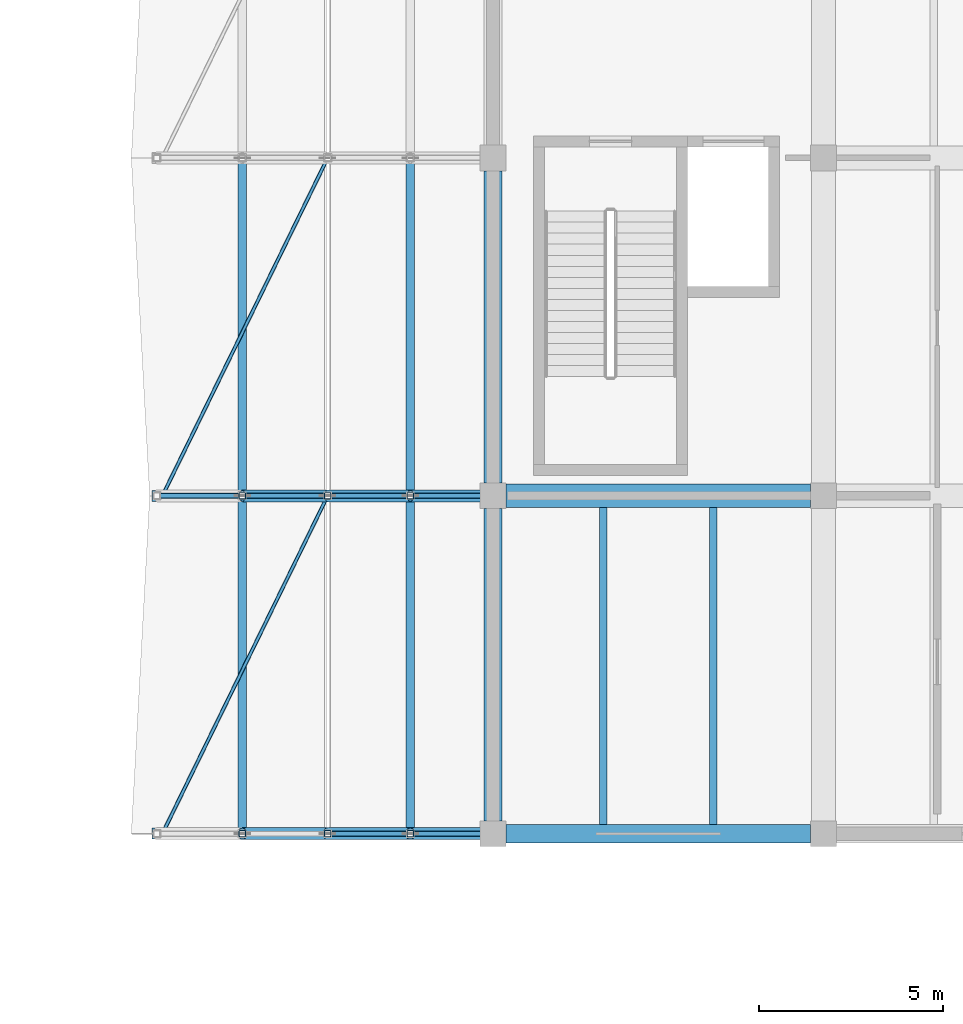
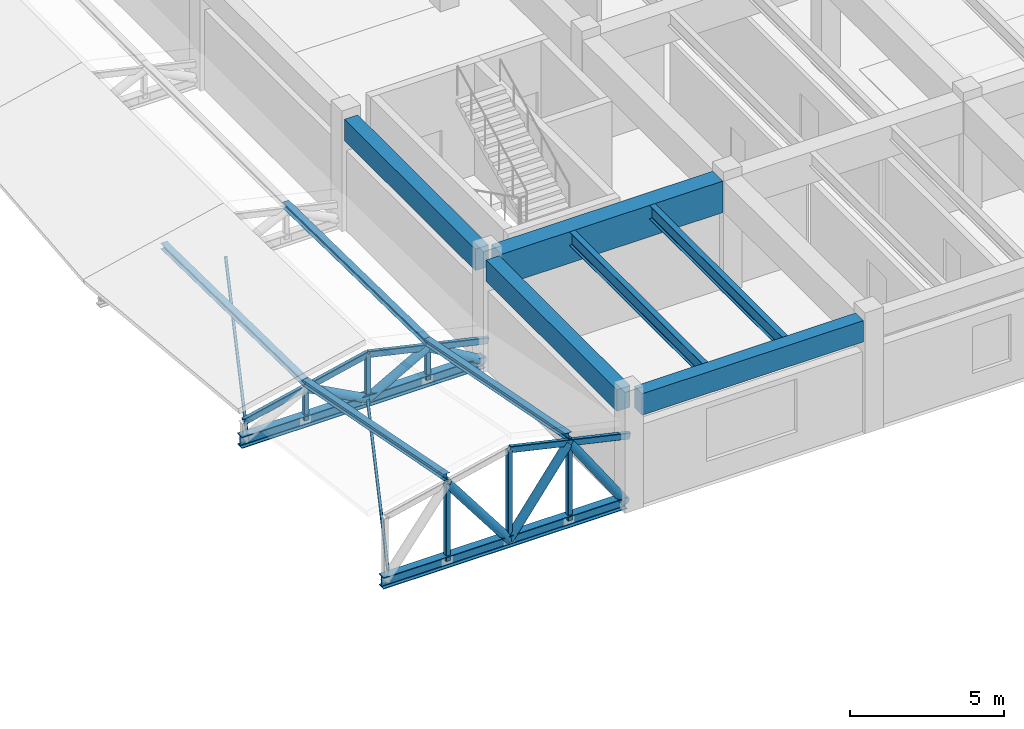
# One storey, part 41 of 90: 21 members, 8 beams.
"""IFC4 building model written with IfcOpenShell, lengths in metres."""

from ifc_helpers import new_model, si_unit, direction, frame, origin, origin_2d, place, context, subcontext, project, spatial, rectangle, hollow_rectangle, hollow_circle, i_section, extrude, material, material_profile, profile_set, type_object, element, save


model = new_model("IFC4")

# Units and contexts
model_context = context("Model", 3, precision=1e-05, world=origin(), true_north=direction((0.0, 1.0)))
body_context = subcontext(model_context, "Body", "Model", "MODEL_VIEW")
ifc_project = project(units=[si_unit("LENGTHUNIT", "METRE"), si_unit("AREAUNIT", "SQUARE_METRE"), si_unit("VOLUMEUNIT", "CUBIC_METRE"), si_unit("PLANEANGLEUNIT", "RADIAN"), si_unit("MASSUNIT", "GRAM", prefix="KILO")], contexts=[model_context])

# Site, building, storey
site_placement = place(None, origin())
site = spatial("IfcSite", under=ifc_project, at=site_placement, CompositionType="ELEMENT")
building_placement = place(site_placement, origin())
building = spatial("IfcBuilding", under=site, at=building_placement, Name="Bozkorgan Art Gallery", CompositionType="ELEMENT")
storey_placement = place(building_placement, frame((0.0, 0.0, 5.39990234375)))
storey = spatial("IfcBuildingStorey", under=building, at=storey_placement, Name="L01", CompositionType="ELEMENT", Elevation=5.39990234375)

# Beams
ifc_material_1 = material(Name="Concrete C35/45", Category="concrete")
ifc_material_profile_1 = material_profile(ifc_material_1, rectangle(XDim=0.64990234375, YDim=1.25, at=origin_2d()), Name="RC 650x1250")
ifc_profile_set_1 = profile_set([ifc_material_profile_1], Name="Concrete C35/45")
beam_type_1 = type_object("IfcBeamType", Name="BEAM-BM-54", PredefinedType="BEAM", material=ifc_profile_set_1)
beam_1_placement = place(storey_placement, frame((137.35009765625, 75.199951171875, 3.815185546875), z_axis=(1.0, 0.0, 0.0), x_axis=(0.0, 1.0, 0.0)))
element("IfcBeam", 1, at=beam_1_placement, inside=storey, type_object=beam_type_1, Name="V5 L01 beam X (137-146, 75.2)", PredefinedType="BEAM", context=body_context, shape_type="SweptSolid", body=[
    extrude(rectangle(XDim=0.64990234375, YDim=1.25, at=origin_2d()), origin(), (0.0, 0.0, 1.0), 8.2998046875),
])
ifc_material_2 = material(Name="Steel S355J2", Category="steel")
ifc_material_profile_2 = material_profile(ifc_material_2, i_section(OverallWidth=0.2099609375, OverallDepth=0.550048828125, WebThickness=0.010986328125, FlangeThickness=0.01708984375, FilletRadius=0.02392578125, at=origin_2d()), Name="IPE 550")
ifc_profile_set_2 = profile_set([ifc_material_profile_2], Name="Steel S355J2")
beam_type_2 = type_object("IfcBeamType", Name="BEAM-JS-62", PredefinedType="JOIST", material=ifc_profile_set_2)
for number, where, z_axis, x_axis, name in (
    (2, (140.0, 66.25, 4.1650390625), (0.0, 1.0, 0.0), (-1.0, 0.0, 0.0), "V5 L01 secondary joist (137-146, 66.0-75.2) #1"),
    (3, (143.0, 66.25, 4.1650390625), (0.0, 1.0, 0.0), (-1.0, 0.0, 0.0), "V5 L01 secondary joist (137-146, 66.0-75.2) #2"),
):
    element("IfcBeam", number, at=place(storey_placement, frame(where, z_axis=z_axis, x_axis=x_axis)), inside=storey, type_object=beam_type_2, Name=name, PredefinedType="JOIST", context=body_context, shape_type="SweptSolid", body=[
        extrude(i_section(OverallWidth=0.2099609375, OverallDepth=0.550048828125, WebThickness=0.010986328125, FlangeThickness=0.01708984375, FilletRadius=0.02392578125, at=origin_2d()), origin(), (0.0, 0.0, 1.0), 8.625),
    ])
ifc_material_profile_3 = material_profile(ifc_material_1, rectangle(XDim=0.5, YDim=0.85009765625, at=origin_2d()), Name="RC 500x850")
ifc_profile_set_3 = profile_set([ifc_material_profile_3], Name="Concrete C35/45")
beam_type_3 = type_object("IfcBeamType", Name="BEAM-SP-30", PredefinedType="SPANDREL", material=ifc_profile_set_3)
beam_2_placement = place(storey_placement, frame((137.35009765625, 66.0, 4.01513671875), z_axis=(1.0, 0.0, 0.0), x_axis=(0.0, 1.0, 0.0)))
element("IfcBeam", 4, at=beam_2_placement, inside=storey, type_object=beam_type_3, Name="V5 L01 spandrel X (137-146, 66.0)", PredefinedType="SPANDREL", context=body_context, shape_type="SweptSolid", body=[
    extrude(rectangle(XDim=0.5, YDim=0.85009765625, at=origin_2d()), origin(), (0.0, 0.0, 1.0), 8.2998046875),
])
for number, where, z_axis, x_axis, name in (
    (5, (137.0, 66.35009765625, 4.01513671875), (0.0, 1.0, 0.0), (-1.0, 0.0, 0.0), "V5 L01 spandrel Y (137, 66.0-75.2)"),
    (6, (137.0, 75.550048828125, 4.01513671875), (0.0, 1.0, 0.0), (-1.0, 0.0, 0.0), "V5 L01 spandrel Y (137, 75.2-84.4)"),
):
    element("IfcBeam", number, at=place(storey_placement, frame(where, z_axis=z_axis, x_axis=x_axis)), inside=storey, type_object=beam_type_3, Name=name, PredefinedType="SPANDREL", context=body_context, shape_type="SweptSolid", body=[
        extrude(rectangle(XDim=0.5, YDim=0.85009765625, at=origin_2d()), origin(), (0.0, 0.0, 1.0), 8.5),
    ])
ifc_material_profile_4 = material_profile(ifc_material_2, i_section(OverallWidth=0.300048828125, OverallDepth=0.449951171875, WebThickness=0.013916015625, FlangeThickness=0.02587890625, FilletRadius=0.027099609375, at=origin_2d()), Name="HEB 450")
ifc_profile_set_4 = profile_set([ifc_material_profile_4], Name="Steel S355J2")
beam_type_4 = type_object("IfcBeamType", Name="BEAM-TB-37", PredefinedType="BEAM", material=ifc_profile_set_4)
for number, where, z_axis, x_axis, name in (
    (7, (127.7099609375, 66.0, 0.22509765625), (1.0, 0.0, 0.0), (0.0, 1.0, 0.0), "ROOF-V5-DOCK roof truss 1 bottom chord"),
    (8, (127.7099609375, 75.199951171875, 0.22509765625), (1.0, 0.0, 0.0), (0.0, 1.0, 0.0), "ROOF-V5-DOCK roof truss 2 bottom chord"),
):
    element("IfcBeam", number, at=place(storey_placement, frame(where, z_axis=z_axis, x_axis=x_axis)), inside=storey, type_object=beam_type_4, Name=name, PredefinedType="BEAM", context=body_context, shape_type="SweptSolid", body=[
        extrude(i_section(OverallWidth=0.300048828125, OverallDepth=0.449951171875, WebThickness=0.013916015625, FlangeThickness=0.02587890625, FilletRadius=0.027099609375, at=origin_2d()), origin(), (0.0, 0.0, 1.0), 9.14013671875),
    ])

# Members
ifc_material_profile_5 = material_profile(ifc_material_2, i_section(OverallWidth=0.239990234375, OverallDepth=0.22998046875, WebThickness=0.007568359375, FlangeThickness=0.011962890625, FilletRadius=0.02099609375, at=origin_2d()), Name="HEA 240")
ifc_profile_set_5 = profile_set([ifc_material_profile_5], Name="Steel S355J2")
member_type_1 = type_object("IfcMemberType", Name="MEMBER-PR-93", PredefinedType="PURLIN", material=ifc_profile_set_5)
for number, where, z_axis, x_axis, name in (
    (9, (130.175048828125, 66.0, 3.51318359375), (0.0, 0.981303046378, -0.192469039508), (-1.0, 0.0, 0.0), "ROOF-V5-DOCK roof purlin 1W"),
    (10, (134.75, 66.0, 3.5302734375), (0.0, 0.981303046378, -0.192469039508), (-1.0, 0.0, 0.0), "ROOF-V5-DOCK roof purlin 1E"),
):
    element("IfcMember", number, at=place(storey_placement, frame(where, z_axis=z_axis, x_axis=x_axis)), inside=storey, type_object=member_type_1, Name=name, PredefinedType="PURLIN", context=body_context, shape_type="SweptSolid", body=[
        extrude(i_section(OverallWidth=0.239990234375, OverallDepth=0.22998046875, WebThickness=0.007568359375, FlangeThickness=0.011962890625, FilletRadius=0.02099609375, at=origin_2d()), origin(), (0.0, 0.0, 1.0), 9.375244140625),
    ])
for number, where, z_axis, x_axis, name in (
    (11, (130.175048828125, 75.199951171875, 1.708740234375), (0.0, 0.999853545379, -0.017113964832), (-1.0, 0.0, 0.0), "ROOF-V5-DOCK roof purlin 2W"),
    (12, (134.75, 75.199951171875, 1.725830078125), (0.0, 0.999853091005, -0.017140490322), (-1.0, 0.0, 0.0), "ROOF-V5-DOCK roof purlin 2E"),
):
    element("IfcMember", number, at=place(storey_placement, frame(where, z_axis=z_axis, x_axis=x_axis)), inside=storey, type_object=member_type_1, Name=name, PredefinedType="PURLIN", context=body_context, shape_type="SweptSolid", body=[
        extrude(i_section(OverallWidth=0.239990234375, OverallDepth=0.22998046875, WebThickness=0.007568359375, FlangeThickness=0.011962890625, FilletRadius=0.02099609375, at=origin_2d()), origin(), (0.0, 0.0, 1.0), 9.201416015625),
    ])
ifc_material_profile_6 = material_profile(ifc_material_2, hollow_rectangle(XDim=0.14990234375, YDim=0.25, WallThickness=0.010009765625, InnerFilletRadius=0.014892578125, OuterFilletRadius=0.02490234375, at=origin_2d()), Name="RHS 250x150x10")
ifc_profile_set_6 = profile_set([ifc_material_profile_6], Name="Steel S355J2")
member_type_2 = type_object("IfcMemberType", Name="MEMBER-TC-35", PredefinedType="CHORD", material=ifc_profile_set_6)
member_1_placement = place(storey_placement, frame((132.5, 66.0, 3.801513671875), z_axis=(0.975145326943, 0.0, -0.221566223375), x_axis=(0.0, 1.0, 0.0)))
element("IfcMember", 13, at=member_1_placement, inside=storey, type_object=member_type_2, Name="ROOF-V5-DOCK roof truss 1 east top chord", PredefinedType="CHORD", context=body_context, shape_type="SweptSolid", body=[
    extrude(hollow_rectangle(XDim=0.14990234375, YDim=0.25, WallThickness=0.010009765625, InnerFilletRadius=0.014892578125, OuterFilletRadius=0.02490234375, at=origin_2d()), origin(), (0.0, 0.0, 1.0), 4.61474609375),
])
member_2_placement = place(storey_placement, frame((127.85009765625, 75.199951171875, 0.940673828125), z_axis=(0.975150958549, 0.0, 0.221541436398), x_axis=(0.0, 1.0, 0.0)))
element("IfcMember", 14, at=member_2_placement, inside=storey, type_object=member_type_2, Name="ROOF-V5-DOCK roof truss 2 west top chord", PredefinedType="CHORD", context=body_context, shape_type="SweptSolid", body=[
    extrude(hollow_rectangle(XDim=0.14990234375, YDim=0.25, WallThickness=0.010009765625, InnerFilletRadius=0.014892578125, OuterFilletRadius=0.02490234375, at=origin_2d()), origin(), (0.0, 0.0, 1.0), 4.768310546875),
])
member_3_placement = place(storey_placement, frame((132.5, 75.199951171875, 1.9970703125), z_axis=(0.975145326943, 0.0, -0.221566223375), x_axis=(0.0, 1.0, 0.0)))
element("IfcMember", 15, at=member_3_placement, inside=storey, type_object=member_type_2, Name="ROOF-V5-DOCK roof truss 2 east top chord", PredefinedType="CHORD", context=body_context, shape_type="SweptSolid", body=[
    extrude(hollow_rectangle(XDim=0.14990234375, YDim=0.25, WallThickness=0.010009765625, InnerFilletRadius=0.014892578125, OuterFilletRadius=0.02490234375, at=origin_2d()), origin(), (0.0, 0.0, 1.0), 4.61474609375),
])
ifc_material_profile_7 = material_profile(ifc_material_2, hollow_rectangle(XDim=0.179931640625, YDim=0.179931640625, WallThickness=0.010009765625, InnerFilletRadius=0.014892578125, OuterFilletRadius=0.02490234375, at=origin_2d()), Name="SHS 180x180x10")
ifc_profile_set_7 = profile_set([ifc_material_profile_7], Name="Steel S355J2")
member_type_3 = type_object("IfcMemberType", Name="MEMBER-TP-98", PredefinedType="POST", material=ifc_profile_set_7)
member_4_placement = place(storey_placement, frame((130.175048828125, 66.0, 0.22509765625), z_axis=(0.0, 0.0, 1.0), x_axis=(1.0, 0.0, 0.0)))
element("IfcMember", 16, at=member_4_placement, inside=storey, type_object=member_type_3, Name="ROOF-V5-DOCK roof truss 1 post 1", PredefinedType="POST", context=body_context, shape_type="SweptSolid", body=[
    extrude(hollow_rectangle(XDim=0.179931640625, YDim=0.179931640625, WallThickness=0.010009765625, InnerFilletRadius=0.014892578125, OuterFilletRadius=0.02490234375, at=origin_2d()), origin(), (0.0, 0.0, 1.0), 3.048095703125),
])
member_5_placement = place(storey_placement, frame((132.5, 66.0, 0.22509765625), z_axis=(0.0, 0.0, 1.0), x_axis=(1.0, 0.0, 0.0)))
element("IfcMember", 17, at=member_5_placement, inside=storey, type_object=member_type_3, Name="ROOF-V5-DOCK roof truss 1 post 2", PredefinedType="POST", context=body_context, shape_type="SweptSolid", body=[
    extrude(hollow_rectangle(XDim=0.179931640625, YDim=0.179931640625, WallThickness=0.010009765625, InnerFilletRadius=0.014892578125, OuterFilletRadius=0.02490234375, at=origin_2d()), origin(), (0.0, 0.0, 1.0), 3.576416015625),
])
member_6_placement = place(storey_placement, frame((134.75, 66.0, 0.22509765625), z_axis=(0.0, 0.0, 1.0), x_axis=(1.0, 0.0, 0.0)))
element("IfcMember", 18, at=member_6_placement, inside=storey, type_object=member_type_3, Name="ROOF-V5-DOCK roof truss 1 post 3", PredefinedType="POST", context=body_context, shape_type="SweptSolid", body=[
    extrude(hollow_rectangle(XDim=0.179931640625, YDim=0.179931640625, WallThickness=0.010009765625, InnerFilletRadius=0.014892578125, OuterFilletRadius=0.02490234375, at=origin_2d()), origin(), (0.0, 0.0, 1.0), 3.065185546875),
])
member_7_placement = place(storey_placement, frame((130.175048828125, 75.199951171875, 0.22509765625), z_axis=(0.0, 0.0, 1.0), x_axis=(1.0, 0.0, 0.0)))
element("IfcMember", 19, at=member_7_placement, inside=storey, type_object=member_type_3, Name="ROOF-V5-DOCK roof truss 2 post 1", PredefinedType="POST", context=body_context, shape_type="SweptSolid", body=[
    extrude(hollow_rectangle(XDim=0.179931640625, YDim=0.179931640625, WallThickness=0.010009765625, InnerFilletRadius=0.014892578125, OuterFilletRadius=0.02490234375, at=origin_2d()), origin(), (0.0, 0.0, 1.0), 1.24365234375),
])
member_8_placement = place(storey_placement, frame((132.5, 75.199951171875, 0.22509765625), z_axis=(0.0, 0.0, 1.0), x_axis=(1.0, 0.0, 0.0)))
element("IfcMember", 20, at=member_8_placement, inside=storey, type_object=member_type_3, Name="ROOF-V5-DOCK roof truss 2 post 2", PredefinedType="POST", context=body_context, shape_type="SweptSolid", body=[
    extrude(hollow_rectangle(XDim=0.179931640625, YDim=0.179931640625, WallThickness=0.010009765625, InnerFilletRadius=0.014892578125, OuterFilletRadius=0.02490234375, at=origin_2d()), origin(), (0.0, 0.0, 1.0), 1.77197265625),
])
member_9_placement = place(storey_placement, frame((134.75, 75.199951171875, 0.22509765625), z_axis=(0.0, 0.0, 1.0), x_axis=(1.0, 0.0, 0.0)))
element("IfcMember", 21, at=member_9_placement, inside=storey, type_object=member_type_3, Name="ROOF-V5-DOCK roof truss 2 post 3", PredefinedType="POST", context=body_context, shape_type="SweptSolid", body=[
    extrude(hollow_rectangle(XDim=0.179931640625, YDim=0.179931640625, WallThickness=0.010009765625, InnerFilletRadius=0.014892578125, OuterFilletRadius=0.02490234375, at=origin_2d()), origin(), (0.0, 0.0, 1.0), 1.2607421875),
])
ifc_material_profile_8 = material_profile(ifc_material_2, hollow_circle(Radius=0.161865234375, WallThickness=0.012451171875, at=origin_2d()), Name="CHS 323.9x12.5")
ifc_profile_set_8 = profile_set([ifc_material_profile_8], Name="Steel S355J2")
member_type_4 = type_object("IfcMemberType", Name="MEMBER-TW-97", PredefinedType="BRACE", material=ifc_profile_set_8)
member_10_placement = place(storey_placement, frame((130.175048828125, 66.0, 3.273193359375), z_axis=(0.606471013151, 0.0, -0.795105596891), x_axis=(0.0, 1.0, 0.0)))
element("IfcMember", 22, at=member_10_placement, inside=storey, type_object=member_type_4, Name="ROOF-V5-DOCK roof truss 1 diagonal 2", PredefinedType="BRACE", context=body_context, shape_type="SweptSolid", body=[
    extrude(hollow_circle(Radius=0.161865234375, WallThickness=0.012451171875, at=origin_2d()), origin(), (0.0, 0.0, 1.0), 3.83349609375),
])
member_11_placement = place(storey_placement, frame((132.5, 66.0, 0.22509765625), z_axis=(0.591739382252, 0.0, 0.806129334221), x_axis=(0.0, 1.0, 0.0)))
element("IfcMember", 23, at=member_11_placement, inside=storey, type_object=member_type_4, Name="ROOF-V5-DOCK roof truss 1 diagonal 3", PredefinedType="BRACE", context=body_context, shape_type="SweptSolid", body=[
    extrude(hollow_circle(Radius=0.161865234375, WallThickness=0.012451171875, at=origin_2d()), origin(), (0.0, 0.0, 1.0), 3.80224609375),
])
member_12_placement = place(storey_placement, frame((134.75, 66.0, 3.290283203125), z_axis=(0.565209082939, 0.0, -0.824947690804), x_axis=(0.0, 1.0, 0.0)))
element("IfcMember", 24, at=member_12_placement, inside=storey, type_object=member_type_4, Name="ROOF-V5-DOCK roof truss 1 diagonal 4", PredefinedType="BRACE", context=body_context, shape_type="SweptSolid", body=[
    extrude(hollow_circle(Radius=0.161865234375, WallThickness=0.012451171875, at=origin_2d()), origin(), (0.0, 0.0, 1.0), 3.715576171875),
])
member_13_placement = place(storey_placement, frame((130.175048828125, 75.199951171875, 1.46875), z_axis=(0.881772999271, 0.0, -0.471674016411), x_axis=(0.0, 1.0, 0.0)))
element("IfcMember", 25, at=member_13_placement, inside=storey, type_object=member_type_4, Name="ROOF-V5-DOCK roof truss 2 diagonal 2", PredefinedType="BRACE", context=body_context, shape_type="SweptSolid", body=[
    extrude(hollow_circle(Radius=0.161865234375, WallThickness=0.012451171875, at=origin_2d()), origin(), (0.0, 0.0, 1.0), 2.63671875),
])
member_14_placement = place(storey_placement, frame((132.5, 75.199951171875, 0.22509765625), z_axis=(0.87238331139, 0.0, 0.488822419707), x_axis=(0.0, 1.0, 0.0)))
element("IfcMember", 26, at=member_14_placement, inside=storey, type_object=member_type_4, Name="ROOF-V5-DOCK roof truss 2 diagonal 3", PredefinedType="BRACE", context=body_context, shape_type="SweptSolid", body=[
    extrude(hollow_circle(Radius=0.161865234375, WallThickness=0.012451171875, at=origin_2d()), origin(), (0.0, 0.0, 1.0), 2.5791015625),
])
member_15_placement = place(storey_placement, frame((134.75, 75.199951171875, 1.48583984375), z_axis=(0.857369778182, 0.0, -0.514700945656), x_axis=(0.0, 1.0, 0.0)))
element("IfcMember", 27, at=member_15_placement, inside=storey, type_object=member_type_4, Name="ROOF-V5-DOCK roof truss 2 diagonal 4", PredefinedType="BRACE", context=body_context, shape_type="SweptSolid", body=[
    extrude(hollow_circle(Radius=0.161865234375, WallThickness=0.012451171875, at=origin_2d()), origin(), (0.0, 0.0, 1.0), 2.449462890625),
])
ifc_material_profile_9 = material_profile(ifc_material_2, hollow_rectangle(XDim=0.10009765625, YDim=0.14990234375, WallThickness=0.008056640625, InnerFilletRadius=0.011962890625, OuterFilletRadius=0.02001953125, at=origin_2d()), Name="RHS 150x100x8")
ifc_profile_set_9 = profile_set([ifc_material_profile_9], Name="Steel S355J2")
member_type_5 = type_object("IfcMemberType", Name="MEMBER-WB-10", PredefinedType="BRACE", material=ifc_profile_set_9)
for number, where, z_axis, x_axis, name in (
    (28, (128.0, 66.0, 0.22509765625), (0.439387129103, 0.898297807399, 0.0), (-0.898297807399, 0.439387129103, 0.0), "ROOF-V5-DOCK roof diaphragm wind brace 1"),
    (29, (128.0, 75.199951171875, 0.22509765625), (0.439387129103, 0.898297807399, 0.0), (-0.898297807399, 0.439387129103, 0.0), "ROOF-V5-DOCK roof diaphragm wind brace 2"),
):
    element("IfcMember", number, at=place(storey_placement, frame(where, z_axis=z_axis, x_axis=x_axis)), inside=storey, type_object=member_type_5, Name=name, PredefinedType="BRACE", context=body_context, shape_type="SweptSolid", body=[
        extrude(hollow_rectangle(XDim=0.10009765625, YDim=0.14990234375, WallThickness=0.008056640625, InnerFilletRadius=0.011962890625, OuterFilletRadius=0.02001953125, at=origin_2d()), origin(), (0.0, 0.0, 1.0), 10.241455078125),
    ])

save(model, "model.ifc")
